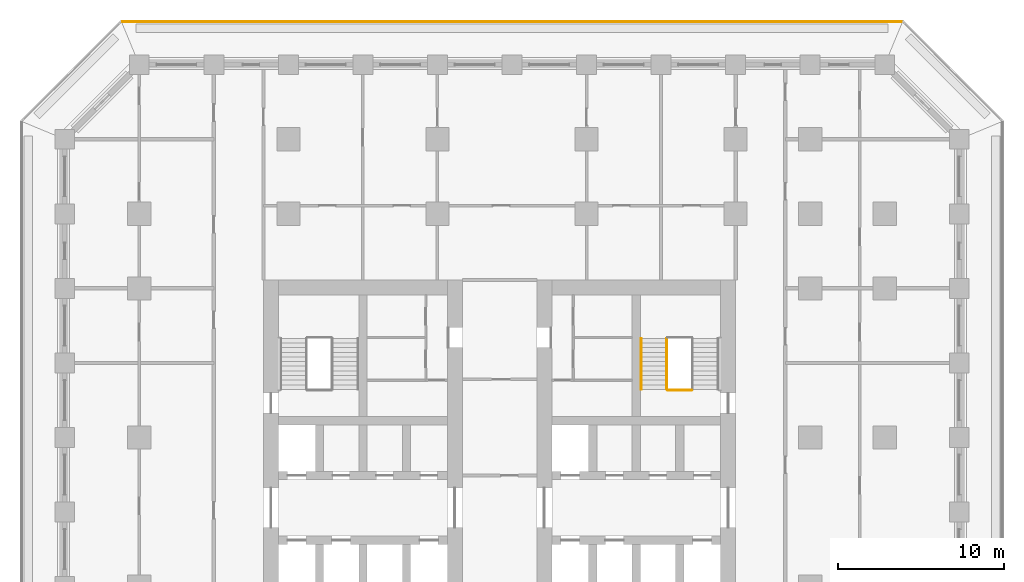
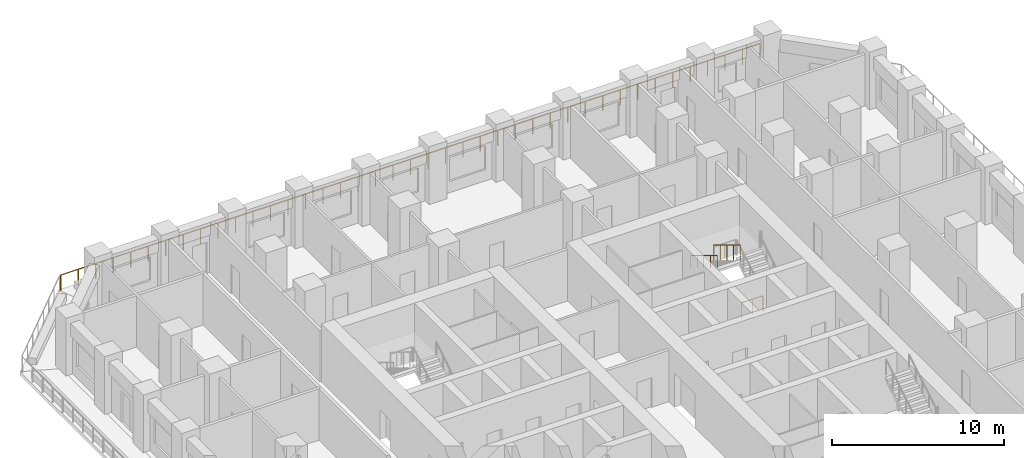
# One storey, part 16 of 18: 4 railings.
"""IFC4 building model written with IfcOpenShell, lengths in metres."""

from ifc_helpers import new_model, si_unit, direction, frame, origin, origin_2d, place, context, subcontext, project, spatial, circle, extrude, material, type_object, element, save


model = new_model("IFC4")

# Units and contexts
model_context = context("Model", 3, precision=1e-05, world=origin(), true_north=direction((0.0, 1.0)))
body_context = subcontext(model_context, "Body", "Model", "MODEL_VIEW")
ifc_project = project(units=[si_unit("LENGTHUNIT", "METRE"), si_unit("AREAUNIT", "SQUARE_METRE"), si_unit("VOLUMEUNIT", "CUBIC_METRE"), si_unit("PLANEANGLEUNIT", "RADIAN"), si_unit("MASSUNIT", "GRAM", prefix="KILO")], contexts=[model_context])

# Site, building, storey
site_placement = place(None, origin())
site = spatial("IfcSite", under=ifc_project, at=site_placement, CompositionType="ELEMENT")
building_placement = place(site_placement, origin())
building = spatial("IfcBuilding", under=site, at=building_placement, Name="Corbel Stack Research Tower", CompositionType="ELEMENT")
storey_placement = place(building_placement, frame((0.0, 0.0, 102.5)))
storey = spatial("IfcBuildingStorey", under=building, at=storey_placement, Name="L23", CompositionType="ELEMENT", Elevation=102.5)

# Railings
ifc_material_1 = material(Name="Steel S355", Category="steel")
railing_type_1 = type_object("IfcRailingType", Name="Stair guard 1100", PredefinedType="GUARDRAIL", material=ifc_material_1)
railing_1_placement = place(storey_placement, frame((13.85009765625, 14.97998046875, 2.220947265625)))
element("IfcRailing", 1, at=railing_1_placement, inside=storey, type_object=railing_type_1, Name="L23 ST-E2 stair guard 4", PredefinedType="GUARDRAIL", context=body_context, shape_type="SweptSolid", body=[
    extrude(circle(Radius=0.02392578125, at=origin_2d()), frame((0.0, 0.0, 1.076171875), z_axis=(0.0, -0.853666305674, 0.52082035152), x_axis=(1.0, 0.0, 0.0)), (0.0, 0.0, 1.0), 3.608154296875),
    extrude(circle(Radius=0.02099609375, at=origin_2d()), origin(), (0.0, 0.0, 1.0), 1.052001953125),
    extrude(circle(Radius=0.02099609375, at=origin_2d()), frame((0.0, -0.77001953125, 0.4697265625)), (0.0, 0.0, 1.0), 1.052001953125),
    extrude(circle(Radius=0.02099609375, at=origin_2d()), frame((0.0, -1.5400390625, 0.939453125)), (0.0, 0.0, 1.0), 1.052001953125),
    extrude(circle(Radius=0.02099609375, at=origin_2d()), frame((0.0, -2.31005859375, 1.409423828125)), (0.0, 0.0, 1.0), 1.052001953125),
    extrude(circle(Radius=0.02099609375, at=origin_2d()), frame((0.0, -3.080078125, 1.879150390625)), (0.0, 0.0, 1.0), 1.052001953125),
])
railing_2_placement = place(storey_placement, frame((15.35009765625, 11.85009765625, 0.0)))
element("IfcRailing", 2, at=railing_2_placement, inside=storey, type_object=railing_type_1, Name="L23 ST-E2 stair guard 5", PredefinedType="GUARDRAIL", context=body_context, shape_type="SweptSolid", body=[
    extrude(circle(Radius=0.02392578125, at=origin_2d()), frame((0.0, 0.0, 1.076171875), z_axis=(-1.0, 0.0, 0.0), x_axis=(0.0, -1.0, 0.0)), (0.0, 0.0, 1.0), 1.4501953125),
    extrude(circle(Radius=0.02099609375, at=origin_2d()), origin(), (0.0, 0.0, 1.0), 1.052001953125),
    extrude(circle(Radius=0.02099609375, at=origin_2d()), frame((-0.72509765625, 0.0, 0.0)), (0.0, 0.0, 1.0), 1.052001953125),
    extrude(circle(Radius=0.02099609375, at=origin_2d()), frame((-1.4501953125, 0.0, 0.0)), (0.0, 0.0, 1.0), 1.052001953125),
])
ifc_material_2 = material(Name="Steel S355", Category="steel")
railing_type_2 = type_object("IfcRailingType", Name="Stair handrail 900", PredefinedType="HANDRAIL", material=ifc_material_2)
railing_3_placement = place(storey_placement, frame((12.300048828125, 14.97998046875, 2.220947265625)))
element("IfcRailing", 3, at=railing_3_placement, inside=storey, type_object=railing_type_2, Name="L23 ST-E2 stair handrail 2", PredefinedType="HANDRAIL", context=body_context, shape_type="SweptSolid", body=[
    extrude(circle(Radius=0.02392578125, at=origin_2d()), frame((0.0, 0.0, 0.8759765625), z_axis=(0.0, -0.853666305674, 0.52082035152), x_axis=(1.0, 0.0, 0.0)), (0.0, 0.0, 1.0), 3.608154296875),
    extrude(circle(Radius=0.02099609375, at=origin_2d()), origin(), (0.0, 0.0, 1.0), 0.851806640625),
    extrude(circle(Radius=0.02099609375, at=origin_2d()), frame((0.0, -0.77001953125, 0.4697265625)), (0.0, 0.0, 1.0), 0.851806640625),
    extrude(circle(Radius=0.02099609375, at=origin_2d()), frame((0.0, -1.5400390625, 0.939453125)), (0.0, 0.0, 1.0), 0.851806640625),
    extrude(circle(Radius=0.02099609375, at=origin_2d()), frame((0.0, -2.31005859375, 1.409423828125)), (0.0, 0.0, 1.0), 0.851806640625),
    extrude(circle(Radius=0.02099609375, at=origin_2d()), frame((0.0, -3.080078125, 1.879150390625)), (0.0, 0.0, 1.0), 0.851806640625),
])
ifc_material_3 = material(Name="Powder-coated steel guard", Category="steel")
railing_type_3 = type_object("IfcRailingType", Name="Steel and glass guard 1100", PredefinedType="GUARDRAIL", material=ifc_material_3)
railing_4_placement = place(storey_placement, frame((28.00537109375, 34.10009765625, 0.0)))
element("IfcRailing", 4, at=railing_4_placement, inside=storey, type_object=railing_type_3, Name="Loggia guard L23 N", PredefinedType="GUARDRAIL", context=body_context, shape_type="SweptSolid", body=[
    extrude(circle(Radius=0.02392578125, at=origin_2d()), frame((0.0, 0.0, 1.076171875), z_axis=(-1.0, 0.0, 0.0), x_axis=(0.0, -1.0, 0.0)), (0.0, 0.0, 1.0), 47.0107421875),
    extrude(circle(Radius=0.02099609375, at=origin_2d()), origin(), (0.0, 0.0, 1.0), 1.052001953125),
    extrude(circle(Radius=0.02099609375, at=origin_2d()), frame((-1.17529296875, 0.0, 0.0)), (0.0, 0.0, 1.0), 1.052001953125),
    extrude(circle(Radius=0.02099609375, at=origin_2d()), frame((-2.3505859375, 0.0, 0.0)), (0.0, 0.0, 1.0), 1.052001953125),
    extrude(circle(Radius=0.02099609375, at=origin_2d()), frame((-3.52587890625, 0.0, 0.0)), (0.0, 0.0, 1.0), 1.052001953125),
    extrude(circle(Radius=0.02099609375, at=origin_2d()), frame((-4.701171875, 0.0, 0.0)), (0.0, 0.0, 1.0), 1.052001953125),
    extrude(circle(Radius=0.02099609375, at=origin_2d()), frame((-5.87646484375, 0.0, 0.0)), (0.0, 0.0, 1.0), 1.052001953125),
    extrude(circle(Radius=0.02099609375, at=origin_2d()), frame((-7.051513671875, 0.0, 0.0)), (0.0, 0.0, 1.0), 1.052001953125),
    extrude(circle(Radius=0.02099609375, at=origin_2d()), frame((-8.226806640625, 0.0, 0.0)), (0.0, 0.0, 1.0), 1.052001953125),
    extrude(circle(Radius=0.02099609375, at=origin_2d()), frame((-9.402099609375, 0.0, 0.0)), (0.0, 0.0, 1.0), 1.052001953125),
    extrude(circle(Radius=0.02099609375, at=origin_2d()), frame((-10.577392578125, 0.0, 0.0)), (0.0, 0.0, 1.0), 1.052001953125),
    extrude(circle(Radius=0.02099609375, at=origin_2d()), frame((-11.752685546875, 0.0, 0.0)), (0.0, 0.0, 1.0), 1.052001953125),
    extrude(circle(Radius=0.02099609375, at=origin_2d()), frame((-12.927978515625, 0.0, 0.0)), (0.0, 0.0, 1.0), 1.052001953125),
    extrude(circle(Radius=0.02099609375, at=origin_2d()), frame((-14.103271484375, 0.0, 0.0)), (0.0, 0.0, 1.0), 1.052001953125),
    extrude(circle(Radius=0.02099609375, at=origin_2d()), frame((-15.278564453125, 0.0, 0.0)), (0.0, 0.0, 1.0), 1.052001953125),
    extrude(circle(Radius=0.02099609375, at=origin_2d()), frame((-16.453857421875, 0.0, 0.0)), (0.0, 0.0, 1.0), 1.052001953125),
    extrude(circle(Radius=0.02099609375, at=origin_2d()), frame((-17.62890625, 0.0, 0.0)), (0.0, 0.0, 1.0), 1.052001953125),
    extrude(circle(Radius=0.02099609375, at=origin_2d()), frame((-18.80419921875, 0.0, 0.0)), (0.0, 0.0, 1.0), 1.052001953125),
    extrude(circle(Radius=0.02099609375, at=origin_2d()), frame((-19.9794921875, 0.0, 0.0)), (0.0, 0.0, 1.0), 1.052001953125),
    extrude(circle(Radius=0.02099609375, at=origin_2d()), frame((-21.15478515625, 0.0, 0.0)), (0.0, 0.0, 1.0), 1.052001953125),
    extrude(circle(Radius=0.02099609375, at=origin_2d()), frame((-22.330078125, 0.0, 0.0)), (0.0, 0.0, 1.0), 1.052001953125),
    extrude(circle(Radius=0.02099609375, at=origin_2d()), frame((-23.50537109375, 0.0, 0.0)), (0.0, 0.0, 1.0), 1.052001953125),
    extrude(circle(Radius=0.02099609375, at=origin_2d()), frame((-24.6806640625, 0.0, 0.0)), (0.0, 0.0, 1.0), 1.052001953125),
    extrude(circle(Radius=0.02099609375, at=origin_2d()), frame((-25.85595703125, 0.0, 0.0)), (0.0, 0.0, 1.0), 1.052001953125),
    extrude(circle(Radius=0.02099609375, at=origin_2d()), frame((-27.03125, 0.0, 0.0)), (0.0, 0.0, 1.0), 1.052001953125),
    extrude(circle(Radius=0.02099609375, at=origin_2d()), frame((-28.20654296875, 0.0, 0.0)), (0.0, 0.0, 1.0), 1.052001953125),
    extrude(circle(Radius=0.02099609375, at=origin_2d()), frame((-29.3818359375, 0.0, 0.0)), (0.0, 0.0, 1.0), 1.052001953125),
    extrude(circle(Radius=0.02099609375, at=origin_2d()), frame((-30.556884765625, 0.0, 0.0)), (0.0, 0.0, 1.0), 1.052001953125),
    extrude(circle(Radius=0.02099609375, at=origin_2d()), frame((-31.732177734375, 0.0, 0.0)), (0.0, 0.0, 1.0), 1.052001953125),
    extrude(circle(Radius=0.02099609375, at=origin_2d()), frame((-32.907470703125, 0.0, 0.0)), (0.0, 0.0, 1.0), 1.052001953125),
    extrude(circle(Radius=0.02099609375, at=origin_2d()), frame((-34.082763671875, 0.0, 0.0)), (0.0, 0.0, 1.0), 1.052001953125),
    extrude(circle(Radius=0.02099609375, at=origin_2d()), frame((-35.258056640625, 0.0, 0.0)), (0.0, 0.0, 1.0), 1.052001953125),
    extrude(circle(Radius=0.02099609375, at=origin_2d()), frame((-36.433349609375, 0.0, 0.0)), (0.0, 0.0, 1.0), 1.052001953125),
    extrude(circle(Radius=0.02099609375, at=origin_2d()), frame((-37.608642578125, 0.0, 0.0)), (0.0, 0.0, 1.0), 1.052001953125),
    extrude(circle(Radius=0.02099609375, at=origin_2d()), frame((-38.783935546875, 0.0, 0.0)), (0.0, 0.0, 1.0), 1.052001953125),
    extrude(circle(Radius=0.02099609375, at=origin_2d()), frame((-39.959228515625, 0.0, 0.0)), (0.0, 0.0, 1.0), 1.052001953125),
    extrude(circle(Radius=0.02099609375, at=origin_2d()), frame((-41.13427734375, 0.0, 0.0)), (0.0, 0.0, 1.0), 1.052001953125),
    extrude(circle(Radius=0.02099609375, at=origin_2d()), frame((-42.3095703125, 0.0, 0.0)), (0.0, 0.0, 1.0), 1.052001953125),
    extrude(circle(Radius=0.02099609375, at=origin_2d()), frame((-43.48486328125, 0.0, 0.0)), (0.0, 0.0, 1.0), 1.052001953125),
    extrude(circle(Radius=0.02099609375, at=origin_2d()), frame((-44.66015625, 0.0, 0.0)), (0.0, 0.0, 1.0), 1.052001953125),
    extrude(circle(Radius=0.02099609375, at=origin_2d()), frame((-45.83544921875, 0.0, 0.0)), (0.0, 0.0, 1.0), 1.052001953125),
    extrude(circle(Radius=0.02099609375, at=origin_2d()), frame((-47.0107421875, 0.0, 0.0)), (0.0, 0.0, 1.0), 1.052001953125),
])

save(model, "model.ifc")
